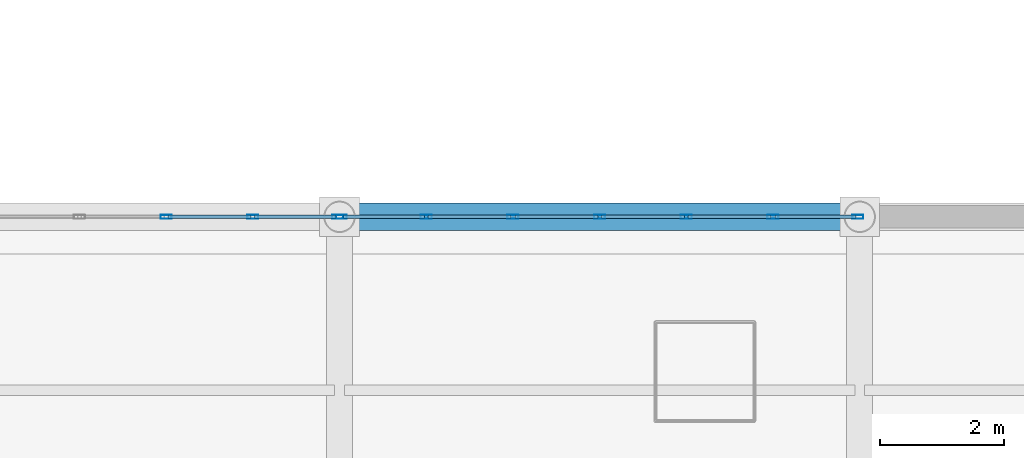
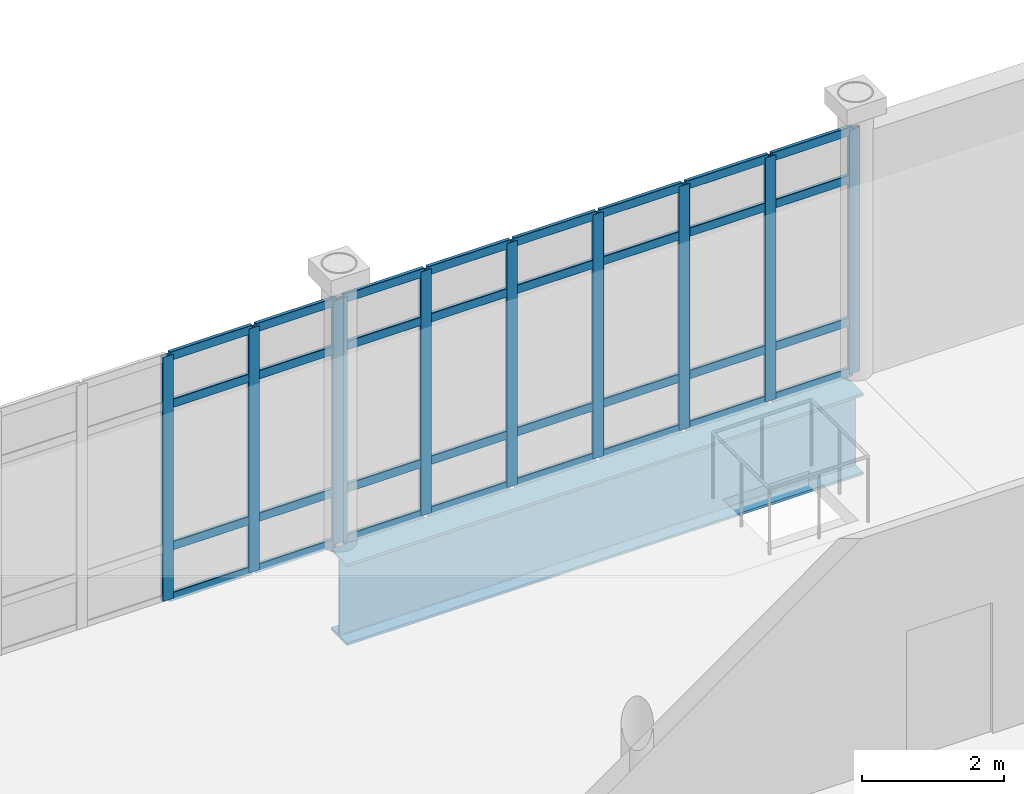
# One storey, part 53 of 145: 42 members, 1 beam, 2 elements without a shape of their own.
"""IFC4 building model written with IfcOpenShell, lengths in metres."""

from ifc_helpers import new_model, si_unit, direction, frame, origin, origin_2d, place, context, subcontext, project, spatial, hollow_rectangle, i_section, extrude, material, layer, layer_set, material_profile, profile_set, type_object, element, aggregate, save


model = new_model("IFC4")

# Units and contexts
model_context = context("Model", 3, precision=1e-05, world=origin(), true_north=direction((0.0, 1.0)))
body_context = subcontext(model_context, "Body", "Model", "MODEL_VIEW")
ifc_project = project(units=[si_unit("LENGTHUNIT", "METRE"), si_unit("AREAUNIT", "SQUARE_METRE"), si_unit("VOLUMEUNIT", "CUBIC_METRE"), si_unit("PLANEANGLEUNIT", "RADIAN"), si_unit("MASSUNIT", "GRAM", prefix="KILO")], contexts=[model_context])

# Site, building, storey
site_placement = place(None, origin())
site = spatial("IfcSite", under=ifc_project, at=site_placement, CompositionType="ELEMENT")
building_placement = place(site_placement, origin())
building = spatial("IfcBuilding", under=site, at=building_placement, Name="Qalvenar Corner Mobility Hub", CompositionType="ELEMENT")
storey_placement = place(building_placement, origin())
storey = spatial("IfcBuildingStorey", under=building, at=storey_placement, Name="L00", CompositionType="ELEMENT", Elevation=0.0)

# Beam
ifc_material_1 = material(Name="Steel S355", Category="steel")
ifc_material_profile_1 = material_profile(ifc_material_1, i_section(OverallWidth=0.449951171875, OverallDepth=1.39990234375, WebThickness=0.02587890625, FlangeThickness=0.0439453125, FilletRadius=0.02392578125, at=origin_2d()), Name="W1100x499-TG1400")
ifc_profile_set_1 = profile_set([ifc_material_profile_1], Name="Steel S355")
beam_type = type_object("IfcBeamType", Name="BM-TG1400", PredefinedType="T_BEAM", material=ifc_profile_set_1)
beam_placement = place(storey_placement, frame((67.199951171875, 33.60009765625, -0.949951171875), z_axis=(1.0, 0.0, 0.0), x_axis=(0.0, 1.0, 0.0)))
element("IfcBeam", 1, at=beam_placement, inside=storey, type_object=beam_type, Name="Transfer Girder TG-0159", PredefinedType="T_BEAM", context=body_context, shape_type="SweptSolid", body=[
    extrude(i_section(OverallWidth=0.449951171875, OverallDepth=1.39990234375, WebThickness=0.02587890625, FlangeThickness=0.0439453125, FilletRadius=0.02392578125, at=origin_2d()), origin(), (0.0, 0.0, 1.0), 8.400146484375),
])

# Curtain wall, members
ifc_material_2 = material(Name="Anodised Aluminium and Low-E Glazing", Category="aluminium")
ifc_layer = layer(ifc_material_2, 0.179931640625)
ifc_layer_set = layer_set([ifc_layer], Name="Anodised Aluminium and Low-E Glazing")
curtain_wall_type = type_object("IfcCurtainWallType", Name="CW-CONC-84X48", PredefinedType="NOTDEFINED", material=ifc_layer_set)
curtain_wall_1_placement = place(storey_placement, origin())
curtain_wall_1 = element("IfcCurtainWall", 2, at=curtain_wall_1_placement, inside=storey, type_object=curtain_wall_type, Name="Glazed Curtain Wall CW-V1-L00-N1", PredefinedType="NOTDEFINED")
ifc_material_3 = material(Name="Anodised Aluminium 6063-T6", Category="aluminium")
ifc_material_profile_2 = material_profile(ifc_material_3, hollow_rectangle(XDim=0.06494140625, YDim=0.179931640625, WallThickness=0.00390625, InnerFilletRadius=0.00390625, OuterFilletRadius=0.008056640625, at=origin_2d()), Name="RHS180x65x4")
ifc_profile_set_2 = profile_set([ifc_material_profile_2], Name="Anodised Aluminium 6063-T6")
member_type_1 = type_object("IfcMemberType", Name="CW-MUL180", PredefinedType="MULLION", material=ifc_profile_set_2)
member_1_placement = place(storey_placement, frame((67.169921875, 33.60009765625, 0.0), z_axis=(0.0, 0.0, 1.0), x_axis=(0.0, -1.0, 0.0)))
member_1 = element("IfcMember", 3, at=member_1_placement, type_object=member_type_1, Name="CW-01 mullion 1", PredefinedType="MULLION", context=body_context, shape_type="SweptSolid", body=[
    extrude(hollow_rectangle(XDim=0.06494140625, YDim=0.179931640625, WallThickness=0.00390625, InnerFilletRadius=0.00390625, OuterFilletRadius=0.008056640625, at=origin_2d()), origin(), (0.0, 0.0, 1.0), 4.199951171875),
])
member_2_placement = place(storey_placement, frame((65.800048828125, 33.60009765625, 0.0), z_axis=(0.0, 0.0, 1.0), x_axis=(0.0, -1.0, 0.0)))
member_2 = element("IfcMember", 4, at=member_2_placement, type_object=member_type_1, Name="CW-01 mullion 2", PredefinedType="MULLION", context=body_context, shape_type="SweptSolid", body=[
    extrude(hollow_rectangle(XDim=0.06494140625, YDim=0.179931640625, WallThickness=0.00390625, InnerFilletRadius=0.00390625, OuterFilletRadius=0.008056640625, at=origin_2d()), origin(), (0.0, 0.0, 1.0), 4.199951171875),
])
member_3_placement = place(storey_placement, frame((64.39990234375, 33.60009765625, 0.0), z_axis=(0.0, 0.0, 1.0), x_axis=(0.0, -1.0, 0.0)))
member_3 = element("IfcMember", 5, at=member_3_placement, type_object=member_type_1, Name="CW-01 mullion 3", PredefinedType="MULLION", context=body_context, shape_type="SweptSolid", body=[
    extrude(hollow_rectangle(XDim=0.06494140625, YDim=0.179931640625, WallThickness=0.00390625, InnerFilletRadius=0.00390625, OuterFilletRadius=0.008056640625, at=origin_2d()), origin(), (0.0, 0.0, 1.0), 4.199951171875),
])

curtain_wall_2_placement = place(storey_placement, origin())
curtain_wall_2 = element("IfcCurtainWall", 6, at=curtain_wall_2_placement, inside=storey, type_object=curtain_wall_type, Name="Glazed Curtain Wall CW-V1-L00-N2", PredefinedType="NOTDEFINED")
member_4_placement = place(storey_placement, frame((75.570068359375, 33.60009765625, 0.0), z_axis=(0.0, 0.0, 1.0), x_axis=(0.0, -1.0, 0.0)))
member_4 = element("IfcMember", 7, at=member_4_placement, type_object=member_type_1, Name="CW-01 mullion 1", PredefinedType="MULLION", context=body_context, shape_type="SweptSolid", body=[
    extrude(hollow_rectangle(XDim=0.06494140625, YDim=0.179931640625, WallThickness=0.00390625, InnerFilletRadius=0.00390625, OuterFilletRadius=0.008056640625, at=origin_2d()), origin(), (0.0, 0.0, 1.0), 4.199951171875),
])
member_5_placement = place(storey_placement, frame((74.199951171875, 33.60009765625, 0.0), z_axis=(0.0, 0.0, 1.0), x_axis=(0.0, -1.0, 0.0)))
member_5 = element("IfcMember", 8, at=member_5_placement, type_object=member_type_1, Name="CW-01 mullion 2", PredefinedType="MULLION", context=body_context, shape_type="SweptSolid", body=[
    extrude(hollow_rectangle(XDim=0.06494140625, YDim=0.179931640625, WallThickness=0.00390625, InnerFilletRadius=0.00390625, OuterFilletRadius=0.008056640625, at=origin_2d()), origin(), (0.0, 0.0, 1.0), 4.199951171875),
])
member_6_placement = place(storey_placement, frame((72.800048828125, 33.60009765625, 0.0), z_axis=(0.0, 0.0, 1.0), x_axis=(0.0, -1.0, 0.0)))
member_6 = element("IfcMember", 9, at=member_6_placement, type_object=member_type_1, Name="CW-01 mullion 3", PredefinedType="MULLION", context=body_context, shape_type="SweptSolid", body=[
    extrude(hollow_rectangle(XDim=0.06494140625, YDim=0.179931640625, WallThickness=0.00390625, InnerFilletRadius=0.00390625, OuterFilletRadius=0.008056640625, at=origin_2d()), origin(), (0.0, 0.0, 1.0), 4.199951171875),
])
member_7_placement = place(storey_placement, frame((71.39990234375, 33.60009765625, 0.0), z_axis=(0.0, 0.0, 1.0), x_axis=(0.0, -1.0, 0.0)))
member_7 = element("IfcMember", 10, at=member_7_placement, type_object=member_type_1, Name="CW-01 mullion 4", PredefinedType="MULLION", context=body_context, shape_type="SweptSolid", body=[
    extrude(hollow_rectangle(XDim=0.06494140625, YDim=0.179931640625, WallThickness=0.00390625, InnerFilletRadius=0.00390625, OuterFilletRadius=0.008056640625, at=origin_2d()), origin(), (0.0, 0.0, 1.0), 4.199951171875),
])
member_8_placement = place(storey_placement, frame((70.0, 33.60009765625, 0.0), z_axis=(0.0, 0.0, 1.0), x_axis=(0.0, -1.0, 0.0)))
member_8 = element("IfcMember", 11, at=member_8_placement, type_object=member_type_1, Name="CW-01 mullion 5", PredefinedType="MULLION", context=body_context, shape_type="SweptSolid", body=[
    extrude(hollow_rectangle(XDim=0.06494140625, YDim=0.179931640625, WallThickness=0.00390625, InnerFilletRadius=0.00390625, OuterFilletRadius=0.008056640625, at=origin_2d()), origin(), (0.0, 0.0, 1.0), 4.199951171875),
])
member_9_placement = place(storey_placement, frame((68.60009765625, 33.60009765625, 0.0), z_axis=(0.0, 0.0, 1.0), x_axis=(0.0, -1.0, 0.0)))
member_9 = element("IfcMember", 12, at=member_9_placement, type_object=member_type_1, Name="CW-01 mullion 6", PredefinedType="MULLION", context=body_context, shape_type="SweptSolid", body=[
    extrude(hollow_rectangle(XDim=0.06494140625, YDim=0.179931640625, WallThickness=0.00390625, InnerFilletRadius=0.00390625, OuterFilletRadius=0.008056640625, at=origin_2d()), origin(), (0.0, 0.0, 1.0), 4.199951171875),
])
member_10_placement = place(storey_placement, frame((67.22998046875, 33.60009765625, 0.0), z_axis=(0.0, 0.0, 1.0), x_axis=(0.0, -1.0, 0.0)))
member_10 = element("IfcMember", 13, at=member_10_placement, type_object=member_type_1, Name="CW-01 mullion 7", PredefinedType="MULLION", context=body_context, shape_type="SweptSolid", body=[
    extrude(hollow_rectangle(XDim=0.06494140625, YDim=0.179931640625, WallThickness=0.00390625, InnerFilletRadius=0.00390625, OuterFilletRadius=0.008056640625, at=origin_2d()), origin(), (0.0, 0.0, 1.0), 4.199951171875),
])

# Member
ifc_material_profile_3 = material_profile(ifc_material_3, hollow_rectangle(XDim=0.06005859375, YDim=0.14990234375, WallThickness=0.00341796875, InnerFilletRadius=0.00341796875, OuterFilletRadius=0.007080078125, at=origin_2d()), Name="RHS150x60x3.5")
ifc_profile_set_3 = profile_set([ifc_material_profile_3], Name="Anodised Aluminium 6063-T6")
member_type_2 = type_object("IfcMemberType", Name="CW-TRN150", PredefinedType="USERDEFINED", material=ifc_profile_set_3)
member_11_placement = place(storey_placement, frame((67.139892578125, 33.60009765625, 0.027587890625), z_axis=(-1.0, 0.0, 0.0), x_axis=(0.0, -1.0, 0.0)))
member_11 = element("IfcMember", 14, at=member_11_placement, type_object=member_type_2, Name="CW-01 transom 1.1", ObjectType="TRANSOM", PredefinedType="USERDEFINED", context=body_context, shape_type="SweptSolid", body=[
    extrude(hollow_rectangle(XDim=0.06005859375, YDim=0.14990234375, WallThickness=0.00341796875, InnerFilletRadius=0.00341796875, OuterFilletRadius=0.007080078125, at=origin_2d()), origin(), (0.0, 0.0, 1.0), 1.309814453125),
])

member_12_placement = place(storey_placement, frame((67.139892578125, 33.60009765625, 0.89990234375), z_axis=(-1.0, 0.0, 0.0), x_axis=(0.0, -1.0, 0.0)))
member_12 = element("IfcMember", 15, at=member_12_placement, type_object=member_type_2, Name="CW-01 transom 1.2", ObjectType="TRANSOM", PredefinedType="USERDEFINED", context=body_context, shape_type="SweptSolid", body=[
    extrude(hollow_rectangle(XDim=0.06005859375, YDim=0.14990234375, WallThickness=0.00341796875, InnerFilletRadius=0.00341796875, OuterFilletRadius=0.007080078125, at=origin_2d()), origin(), (0.0, 0.0, 1.0), 1.309814453125),
])

member_13_placement = place(storey_placement, frame((67.139892578125, 33.60009765625, 3.35009765625), z_axis=(-1.0, 0.0, 0.0), x_axis=(0.0, -1.0, 0.0)))
member_13 = element("IfcMember", 16, at=member_13_placement, type_object=member_type_2, Name="CW-01 transom 1.3", ObjectType="TRANSOM", PredefinedType="USERDEFINED", context=body_context, shape_type="SweptSolid", body=[
    extrude(hollow_rectangle(XDim=0.06005859375, YDim=0.14990234375, WallThickness=0.00341796875, InnerFilletRadius=0.00341796875, OuterFilletRadius=0.007080078125, at=origin_2d()), origin(), (0.0, 0.0, 1.0), 1.309814453125),
])

member_14_placement = place(storey_placement, frame((67.139892578125, 33.60009765625, 4.172607421875), z_axis=(-1.0, 0.0, 0.0), x_axis=(0.0, -1.0, 0.0)))
member_14 = element("IfcMember", 17, at=member_14_placement, type_object=member_type_2, Name="CW-01 transom 1.4", ObjectType="TRANSOM", PredefinedType="USERDEFINED", context=body_context, shape_type="SweptSolid", body=[
    extrude(hollow_rectangle(XDim=0.06005859375, YDim=0.14990234375, WallThickness=0.00341796875, InnerFilletRadius=0.00341796875, OuterFilletRadius=0.007080078125, at=origin_2d()), origin(), (0.0, 0.0, 1.0), 1.309814453125),
])

member_15_placement = place(storey_placement, frame((65.77001953125, 33.60009765625, 0.027587890625), z_axis=(-1.0, 0.0, 0.0), x_axis=(0.0, -1.0, 0.0)))
member_15 = element("IfcMember", 18, at=member_15_placement, type_object=member_type_2, Name="CW-01 transom 2.1", ObjectType="TRANSOM", PredefinedType="USERDEFINED", context=body_context, shape_type="SweptSolid", body=[
    extrude(hollow_rectangle(XDim=0.06005859375, YDim=0.14990234375, WallThickness=0.00341796875, InnerFilletRadius=0.00341796875, OuterFilletRadius=0.007080078125, at=origin_2d()), origin(), (0.0, 0.0, 1.0), 1.340087890625),
])

member_16_placement = place(storey_placement, frame((65.77001953125, 33.60009765625, 0.89990234375), z_axis=(-1.0, 0.0, 0.0), x_axis=(0.0, -1.0, 0.0)))
member_16 = element("IfcMember", 19, at=member_16_placement, type_object=member_type_2, Name="CW-01 transom 2.2", ObjectType="TRANSOM", PredefinedType="USERDEFINED", context=body_context, shape_type="SweptSolid", body=[
    extrude(hollow_rectangle(XDim=0.06005859375, YDim=0.14990234375, WallThickness=0.00341796875, InnerFilletRadius=0.00341796875, OuterFilletRadius=0.007080078125, at=origin_2d()), origin(), (0.0, 0.0, 1.0), 1.340087890625),
])

member_17_placement = place(storey_placement, frame((65.77001953125, 33.60009765625, 3.35009765625), z_axis=(-1.0, 0.0, 0.0), x_axis=(0.0, -1.0, 0.0)))
member_17 = element("IfcMember", 20, at=member_17_placement, type_object=member_type_2, Name="CW-01 transom 2.3", ObjectType="TRANSOM", PredefinedType="USERDEFINED", context=body_context, shape_type="SweptSolid", body=[
    extrude(hollow_rectangle(XDim=0.06005859375, YDim=0.14990234375, WallThickness=0.00341796875, InnerFilletRadius=0.00341796875, OuterFilletRadius=0.007080078125, at=origin_2d()), origin(), (0.0, 0.0, 1.0), 1.340087890625),
])

member_18_placement = place(storey_placement, frame((65.77001953125, 33.60009765625, 4.172607421875), z_axis=(-1.0, 0.0, 0.0), x_axis=(0.0, -1.0, 0.0)))
member_18 = element("IfcMember", 21, at=member_18_placement, type_object=member_type_2, Name="CW-01 transom 2.4", ObjectType="TRANSOM", PredefinedType="USERDEFINED", context=body_context, shape_type="SweptSolid", body=[
    extrude(hollow_rectangle(XDim=0.06005859375, YDim=0.14990234375, WallThickness=0.00341796875, InnerFilletRadius=0.00341796875, OuterFilletRadius=0.007080078125, at=origin_2d()), origin(), (0.0, 0.0, 1.0), 1.340087890625),
])

aggregate(curtain_wall_1, [member_1, member_2, member_3, member_11, member_12, member_13, member_14, member_15, member_16, member_17, member_18])

member_19_placement = place(storey_placement, frame((75.5400390625, 33.60009765625, 0.027587890625), z_axis=(-1.0, 0.0, 0.0), x_axis=(0.0, -1.0, 0.0)))
member_19 = element("IfcMember", 22, at=member_19_placement, type_object=member_type_2, Name="CW-01 transom 1.1", ObjectType="TRANSOM", PredefinedType="USERDEFINED", context=body_context, shape_type="SweptSolid", body=[
    extrude(hollow_rectangle(XDim=0.06005859375, YDim=0.14990234375, WallThickness=0.00341796875, InnerFilletRadius=0.00341796875, OuterFilletRadius=0.007080078125, at=origin_2d()), origin(), (0.0, 0.0, 1.0), 1.31005859375),
])

member_20_placement = place(storey_placement, frame((75.5400390625, 33.60009765625, 0.89990234375), z_axis=(-1.0, 0.0, 0.0), x_axis=(0.0, -1.0, 0.0)))
member_20 = element("IfcMember", 23, at=member_20_placement, type_object=member_type_2, Name="CW-01 transom 1.2", ObjectType="TRANSOM", PredefinedType="USERDEFINED", context=body_context, shape_type="SweptSolid", body=[
    extrude(hollow_rectangle(XDim=0.06005859375, YDim=0.14990234375, WallThickness=0.00341796875, InnerFilletRadius=0.00341796875, OuterFilletRadius=0.007080078125, at=origin_2d()), origin(), (0.0, 0.0, 1.0), 1.31005859375),
])

member_21_placement = place(storey_placement, frame((75.5400390625, 33.60009765625, 3.35009765625), z_axis=(-1.0, 0.0, 0.0), x_axis=(0.0, -1.0, 0.0)))
member_21 = element("IfcMember", 24, at=member_21_placement, type_object=member_type_2, Name="CW-01 transom 1.3", ObjectType="TRANSOM", PredefinedType="USERDEFINED", context=body_context, shape_type="SweptSolid", body=[
    extrude(hollow_rectangle(XDim=0.06005859375, YDim=0.14990234375, WallThickness=0.00341796875, InnerFilletRadius=0.00341796875, OuterFilletRadius=0.007080078125, at=origin_2d()), origin(), (0.0, 0.0, 1.0), 1.31005859375),
])

member_22_placement = place(storey_placement, frame((75.5400390625, 33.60009765625, 4.172607421875), z_axis=(-1.0, 0.0, 0.0), x_axis=(0.0, -1.0, 0.0)))
member_22 = element("IfcMember", 25, at=member_22_placement, type_object=member_type_2, Name="CW-01 transom 1.4", ObjectType="TRANSOM", PredefinedType="USERDEFINED", context=body_context, shape_type="SweptSolid", body=[
    extrude(hollow_rectangle(XDim=0.06005859375, YDim=0.14990234375, WallThickness=0.00341796875, InnerFilletRadius=0.00341796875, OuterFilletRadius=0.007080078125, at=origin_2d()), origin(), (0.0, 0.0, 1.0), 1.31005859375),
])

member_23_placement = place(storey_placement, frame((74.169921875, 33.60009765625, 0.027587890625), z_axis=(-1.0, 0.0, 0.0), x_axis=(0.0, -1.0, 0.0)))
member_23 = element("IfcMember", 26, at=member_23_placement, type_object=member_type_2, Name="CW-01 transom 2.1", ObjectType="TRANSOM", PredefinedType="USERDEFINED", context=body_context, shape_type="SweptSolid", body=[
    extrude(hollow_rectangle(XDim=0.06005859375, YDim=0.14990234375, WallThickness=0.00341796875, InnerFilletRadius=0.00341796875, OuterFilletRadius=0.007080078125, at=origin_2d()), origin(), (0.0, 0.0, 1.0), 1.33984375),
])

member_24_placement = place(storey_placement, frame((74.169921875, 33.60009765625, 0.89990234375), z_axis=(-1.0, 0.0, 0.0), x_axis=(0.0, -1.0, 0.0)))
member_24 = element("IfcMember", 27, at=member_24_placement, type_object=member_type_2, Name="CW-01 transom 2.2", ObjectType="TRANSOM", PredefinedType="USERDEFINED", context=body_context, shape_type="SweptSolid", body=[
    extrude(hollow_rectangle(XDim=0.06005859375, YDim=0.14990234375, WallThickness=0.00341796875, InnerFilletRadius=0.00341796875, OuterFilletRadius=0.007080078125, at=origin_2d()), origin(), (0.0, 0.0, 1.0), 1.33984375),
])

member_25_placement = place(storey_placement, frame((74.169921875, 33.60009765625, 3.35009765625), z_axis=(-1.0, 0.0, 0.0), x_axis=(0.0, -1.0, 0.0)))
member_25 = element("IfcMember", 28, at=member_25_placement, type_object=member_type_2, Name="CW-01 transom 2.3", ObjectType="TRANSOM", PredefinedType="USERDEFINED", context=body_context, shape_type="SweptSolid", body=[
    extrude(hollow_rectangle(XDim=0.06005859375, YDim=0.14990234375, WallThickness=0.00341796875, InnerFilletRadius=0.00341796875, OuterFilletRadius=0.007080078125, at=origin_2d()), origin(), (0.0, 0.0, 1.0), 1.33984375),
])

member_26_placement = place(storey_placement, frame((74.169921875, 33.60009765625, 4.172607421875), z_axis=(-1.0, 0.0, 0.0), x_axis=(0.0, -1.0, 0.0)))
member_26 = element("IfcMember", 29, at=member_26_placement, type_object=member_type_2, Name="CW-01 transom 2.4", ObjectType="TRANSOM", PredefinedType="USERDEFINED", context=body_context, shape_type="SweptSolid", body=[
    extrude(hollow_rectangle(XDim=0.06005859375, YDim=0.14990234375, WallThickness=0.00341796875, InnerFilletRadius=0.00341796875, OuterFilletRadius=0.007080078125, at=origin_2d()), origin(), (0.0, 0.0, 1.0), 1.33984375),
])

member_27_placement = place(storey_placement, frame((72.77001953125, 33.60009765625, 0.027587890625), z_axis=(-1.0, 0.0, 0.0), x_axis=(0.0, -1.0, 0.0)))
member_27 = element("IfcMember", 30, at=member_27_placement, type_object=member_type_2, Name="CW-01 transom 3.1", ObjectType="TRANSOM", PredefinedType="USERDEFINED", context=body_context, shape_type="SweptSolid", body=[
    extrude(hollow_rectangle(XDim=0.06005859375, YDim=0.14990234375, WallThickness=0.00341796875, InnerFilletRadius=0.00341796875, OuterFilletRadius=0.007080078125, at=origin_2d()), origin(), (0.0, 0.0, 1.0), 1.340087890625),
])

member_28_placement = place(storey_placement, frame((72.77001953125, 33.60009765625, 0.89990234375), z_axis=(-1.0, 0.0, 0.0), x_axis=(0.0, -1.0, 0.0)))
member_28 = element("IfcMember", 31, at=member_28_placement, type_object=member_type_2, Name="CW-01 transom 3.2", ObjectType="TRANSOM", PredefinedType="USERDEFINED", context=body_context, shape_type="SweptSolid", body=[
    extrude(hollow_rectangle(XDim=0.06005859375, YDim=0.14990234375, WallThickness=0.00341796875, InnerFilletRadius=0.00341796875, OuterFilletRadius=0.007080078125, at=origin_2d()), origin(), (0.0, 0.0, 1.0), 1.340087890625),
])

member_29_placement = place(storey_placement, frame((72.77001953125, 33.60009765625, 3.35009765625), z_axis=(-1.0, 0.0, 0.0), x_axis=(0.0, -1.0, 0.0)))
member_29 = element("IfcMember", 32, at=member_29_placement, type_object=member_type_2, Name="CW-01 transom 3.3", ObjectType="TRANSOM", PredefinedType="USERDEFINED", context=body_context, shape_type="SweptSolid", body=[
    extrude(hollow_rectangle(XDim=0.06005859375, YDim=0.14990234375, WallThickness=0.00341796875, InnerFilletRadius=0.00341796875, OuterFilletRadius=0.007080078125, at=origin_2d()), origin(), (0.0, 0.0, 1.0), 1.340087890625),
])

member_30_placement = place(storey_placement, frame((72.77001953125, 33.60009765625, 4.172607421875), z_axis=(-1.0, 0.0, 0.0), x_axis=(0.0, -1.0, 0.0)))
member_30 = element("IfcMember", 33, at=member_30_placement, type_object=member_type_2, Name="CW-01 transom 3.4", ObjectType="TRANSOM", PredefinedType="USERDEFINED", context=body_context, shape_type="SweptSolid", body=[
    extrude(hollow_rectangle(XDim=0.06005859375, YDim=0.14990234375, WallThickness=0.00341796875, InnerFilletRadius=0.00341796875, OuterFilletRadius=0.007080078125, at=origin_2d()), origin(), (0.0, 0.0, 1.0), 1.340087890625),
])

member_31_placement = place(storey_placement, frame((71.3701171875, 33.60009765625, 0.027587890625), z_axis=(-1.0, 0.0, 0.0), x_axis=(0.0, -1.0, 0.0)))
member_31 = element("IfcMember", 34, at=member_31_placement, type_object=member_type_2, Name="CW-01 transom 4.1", ObjectType="TRANSOM", PredefinedType="USERDEFINED", context=body_context, shape_type="SweptSolid", body=[
    extrude(hollow_rectangle(XDim=0.06005859375, YDim=0.14990234375, WallThickness=0.00341796875, InnerFilletRadius=0.00341796875, OuterFilletRadius=0.007080078125, at=origin_2d()), origin(), (0.0, 0.0, 1.0), 1.340087890625),
])

member_32_placement = place(storey_placement, frame((71.3701171875, 33.60009765625, 0.89990234375), z_axis=(-1.0, 0.0, 0.0), x_axis=(0.0, -1.0, 0.0)))
member_32 = element("IfcMember", 35, at=member_32_placement, type_object=member_type_2, Name="CW-01 transom 4.2", ObjectType="TRANSOM", PredefinedType="USERDEFINED", context=body_context, shape_type="SweptSolid", body=[
    extrude(hollow_rectangle(XDim=0.06005859375, YDim=0.14990234375, WallThickness=0.00341796875, InnerFilletRadius=0.00341796875, OuterFilletRadius=0.007080078125, at=origin_2d()), origin(), (0.0, 0.0, 1.0), 1.340087890625),
])

member_33_placement = place(storey_placement, frame((71.3701171875, 33.60009765625, 3.35009765625), z_axis=(-1.0, 0.0, 0.0), x_axis=(0.0, -1.0, 0.0)))
member_33 = element("IfcMember", 36, at=member_33_placement, type_object=member_type_2, Name="CW-01 transom 4.3", ObjectType="TRANSOM", PredefinedType="USERDEFINED", context=body_context, shape_type="SweptSolid", body=[
    extrude(hollow_rectangle(XDim=0.06005859375, YDim=0.14990234375, WallThickness=0.00341796875, InnerFilletRadius=0.00341796875, OuterFilletRadius=0.007080078125, at=origin_2d()), origin(), (0.0, 0.0, 1.0), 1.340087890625),
])

member_34_placement = place(storey_placement, frame((71.3701171875, 33.60009765625, 4.172607421875), z_axis=(-1.0, 0.0, 0.0), x_axis=(0.0, -1.0, 0.0)))
member_34 = element("IfcMember", 37, at=member_34_placement, type_object=member_type_2, Name="CW-01 transom 4.4", ObjectType="TRANSOM", PredefinedType="USERDEFINED", context=body_context, shape_type="SweptSolid", body=[
    extrude(hollow_rectangle(XDim=0.06005859375, YDim=0.14990234375, WallThickness=0.00341796875, InnerFilletRadius=0.00341796875, OuterFilletRadius=0.007080078125, at=origin_2d()), origin(), (0.0, 0.0, 1.0), 1.340087890625),
])

member_35_placement = place(storey_placement, frame((69.969970703125, 33.60009765625, 0.027587890625), z_axis=(-1.0, 0.0, 0.0), x_axis=(0.0, -1.0, 0.0)))
member_35 = element("IfcMember", 38, at=member_35_placement, type_object=member_type_2, Name="CW-01 transom 5.1", ObjectType="TRANSOM", PredefinedType="USERDEFINED", context=body_context, shape_type="SweptSolid", body=[
    extrude(hollow_rectangle(XDim=0.06005859375, YDim=0.14990234375, WallThickness=0.00341796875, InnerFilletRadius=0.00341796875, OuterFilletRadius=0.007080078125, at=origin_2d()), origin(), (0.0, 0.0, 1.0), 1.340087890625),
])

member_36_placement = place(storey_placement, frame((69.969970703125, 33.60009765625, 0.89990234375), z_axis=(-1.0, 0.0, 0.0), x_axis=(0.0, -1.0, 0.0)))
member_36 = element("IfcMember", 39, at=member_36_placement, type_object=member_type_2, Name="CW-01 transom 5.2", ObjectType="TRANSOM", PredefinedType="USERDEFINED", context=body_context, shape_type="SweptSolid", body=[
    extrude(hollow_rectangle(XDim=0.06005859375, YDim=0.14990234375, WallThickness=0.00341796875, InnerFilletRadius=0.00341796875, OuterFilletRadius=0.007080078125, at=origin_2d()), origin(), (0.0, 0.0, 1.0), 1.340087890625),
])

member_37_placement = place(storey_placement, frame((69.969970703125, 33.60009765625, 3.35009765625), z_axis=(-1.0, 0.0, 0.0), x_axis=(0.0, -1.0, 0.0)))
member_37 = element("IfcMember", 40, at=member_37_placement, type_object=member_type_2, Name="CW-01 transom 5.3", ObjectType="TRANSOM", PredefinedType="USERDEFINED", context=body_context, shape_type="SweptSolid", body=[
    extrude(hollow_rectangle(XDim=0.06005859375, YDim=0.14990234375, WallThickness=0.00341796875, InnerFilletRadius=0.00341796875, OuterFilletRadius=0.007080078125, at=origin_2d()), origin(), (0.0, 0.0, 1.0), 1.340087890625),
])

member_38_placement = place(storey_placement, frame((69.969970703125, 33.60009765625, 4.172607421875), z_axis=(-1.0, 0.0, 0.0), x_axis=(0.0, -1.0, 0.0)))
member_38 = element("IfcMember", 41, at=member_38_placement, type_object=member_type_2, Name="CW-01 transom 5.4", ObjectType="TRANSOM", PredefinedType="USERDEFINED", context=body_context, shape_type="SweptSolid", body=[
    extrude(hollow_rectangle(XDim=0.06005859375, YDim=0.14990234375, WallThickness=0.00341796875, InnerFilletRadius=0.00341796875, OuterFilletRadius=0.007080078125, at=origin_2d()), origin(), (0.0, 0.0, 1.0), 1.340087890625),
])

member_39_placement = place(storey_placement, frame((68.570068359375, 33.60009765625, 0.027587890625), z_axis=(-1.0, 0.0, 0.0), x_axis=(0.0, -1.0, 0.0)))
member_39 = element("IfcMember", 42, at=member_39_placement, type_object=member_type_2, Name="CW-01 transom 6.1", ObjectType="TRANSOM", PredefinedType="USERDEFINED", context=body_context, shape_type="SweptSolid", body=[
    extrude(hollow_rectangle(XDim=0.06005859375, YDim=0.14990234375, WallThickness=0.00341796875, InnerFilletRadius=0.00341796875, OuterFilletRadius=0.007080078125, at=origin_2d()), origin(), (0.0, 0.0, 1.0), 1.31005859375),
])

member_40_placement = place(storey_placement, frame((68.570068359375, 33.60009765625, 0.89990234375), z_axis=(-1.0, 0.0, 0.0), x_axis=(0.0, -1.0, 0.0)))
member_40 = element("IfcMember", 43, at=member_40_placement, type_object=member_type_2, Name="CW-01 transom 6.2", ObjectType="TRANSOM", PredefinedType="USERDEFINED", context=body_context, shape_type="SweptSolid", body=[
    extrude(hollow_rectangle(XDim=0.06005859375, YDim=0.14990234375, WallThickness=0.00341796875, InnerFilletRadius=0.00341796875, OuterFilletRadius=0.007080078125, at=origin_2d()), origin(), (0.0, 0.0, 1.0), 1.31005859375),
])

member_41_placement = place(storey_placement, frame((68.570068359375, 33.60009765625, 3.35009765625), z_axis=(-1.0, 0.0, 0.0), x_axis=(0.0, -1.0, 0.0)))
member_41 = element("IfcMember", 44, at=member_41_placement, type_object=member_type_2, Name="CW-01 transom 6.3", ObjectType="TRANSOM", PredefinedType="USERDEFINED", context=body_context, shape_type="SweptSolid", body=[
    extrude(hollow_rectangle(XDim=0.06005859375, YDim=0.14990234375, WallThickness=0.00341796875, InnerFilletRadius=0.00341796875, OuterFilletRadius=0.007080078125, at=origin_2d()), origin(), (0.0, 0.0, 1.0), 1.31005859375),
])

member_42_placement = place(storey_placement, frame((68.570068359375, 33.60009765625, 4.172607421875), z_axis=(-1.0, 0.0, 0.0), x_axis=(0.0, -1.0, 0.0)))
member_42 = element("IfcMember", 45, at=member_42_placement, type_object=member_type_2, Name="CW-01 transom 6.4", ObjectType="TRANSOM", PredefinedType="USERDEFINED", context=body_context, shape_type="SweptSolid", body=[
    extrude(hollow_rectangle(XDim=0.06005859375, YDim=0.14990234375, WallThickness=0.00341796875, InnerFilletRadius=0.00341796875, OuterFilletRadius=0.007080078125, at=origin_2d()), origin(), (0.0, 0.0, 1.0), 1.31005859375),
])

aggregate(curtain_wall_2, [member_4, member_5, member_6, member_7, member_8, member_9, member_10, member_19, member_20, member_21, member_22, member_23, member_24, member_25, member_26, member_27, member_28, member_29, member_30, member_31, member_32, member_33, member_34, member_35, member_36, member_37, member_38, member_39, member_40, member_41, member_42])

save(model, "model.ifc")
